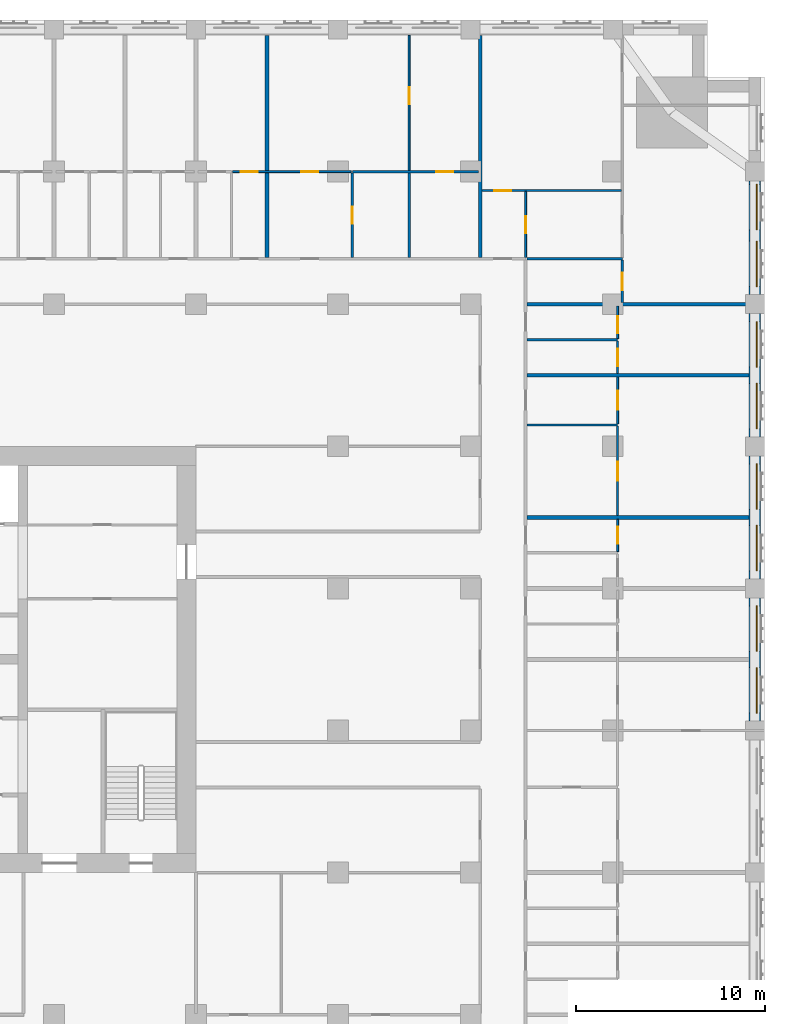
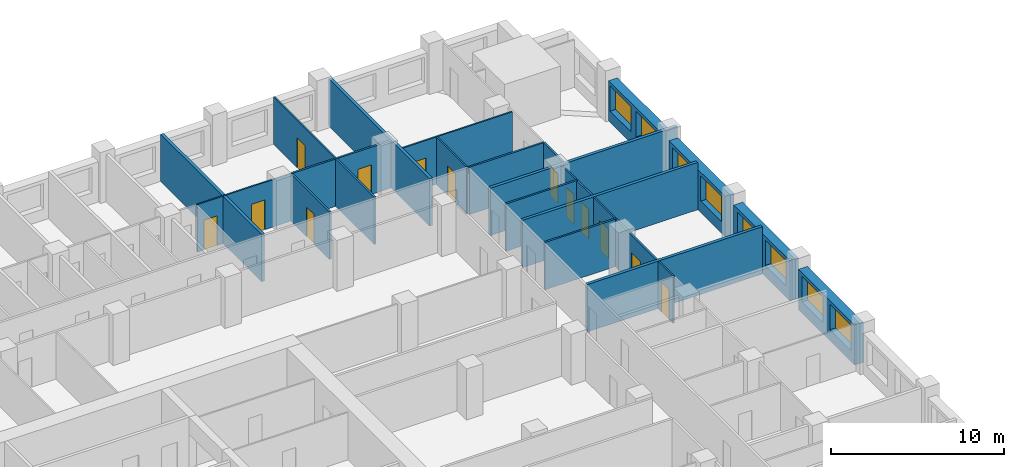
# One storey, part 11 of 15: 25 walls, 13 doors, 8 windows, 21 openings.
"""IFC4 building model written with IfcOpenShell, lengths in metres."""

from ifc_helpers import new_model, si_unit, direction, frame, frame_2d, origin, place, context, subcontext, project, spatial, rectangle, extrude, material, layer, layer_set, type_object, element, fill, save


model = new_model("IFC4")

# Units and contexts
model_context = context("Model", 3, precision=1e-05, world=origin(), true_north=direction((0.0, 1.0)))
body_context = subcontext(model_context, "Body", "Model", "MODEL_VIEW")
ifc_project = project(units=[si_unit("LENGTHUNIT", "METRE"), si_unit("AREAUNIT", "SQUARE_METRE"), si_unit("VOLUMEUNIT", "CUBIC_METRE"), si_unit("PLANEANGLEUNIT", "RADIAN"), si_unit("MASSUNIT", "GRAM", prefix="KILO")], contexts=[model_context])

# Site, building, storey
site_placement = place(None, origin())
site = spatial("IfcSite", under=ifc_project, at=site_placement, CompositionType="ELEMENT")
building_placement = place(site_placement, origin())
building = spatial("IfcBuilding", under=site, at=building_placement, Name="Tamorin Gate", CompositionType="ELEMENT")
storey_placement = place(building_placement, frame((0.0, 0.0, 97.10009765625)))
storey = spatial("IfcBuildingStorey", under=building, at=storey_placement, Name="L23", CompositionType="ELEMENT", Elevation=97.10009765625)

# Wall, openings, windows
ifc_material_1 = material(Name="Precast concrete C40/50", Category="concrete")
ifc_layer_1 = layer(ifc_material_1, 0.60009765625)
ifc_layer_set_1 = layer_set([ifc_layer_1], Name="Precast concrete C40/50")
wall_type_1 = type_object("IfcWallType", Name="Board-marked concrete facade panel 600", PredefinedType="SOLIDWALL", material=ifc_layer_set_1)
wall_1_placement = place(storey_placement, frame((89.5, 68.0, 0.0), z_axis=(0.0, 0.0, 1.0), x_axis=(0.0, 1.0, 0.0)))
wall_1 = element("IfcWall", 1, at=wall_1_placement, inside=storey, type_object=wall_type_1, Name="Facade panel", PredefinedType="SOLIDWALL", context=body_context, shape_type="SweptSolid", body=[
    extrude(rectangle(XDim=6.5, YDim=0.60009765625, at=frame_2d((3.25, 0.0))), origin(), (0.0, 0.0, 1.0), 2.849853515625),
])
opening_1_placement = place(wall_1_placement, frame((0.425048828125, 0.0, 0.800048828125)))
opening_1 = element("IfcOpeningElement", 2, at=opening_1_placement, cuts=wall_1, Name="Opening WN1", PredefinedType="OPENING", context=body_context, shape_type="SweptSolid", body=[
    extrude(rectangle(XDim=2.39990234375, YDim=1.800048828125, at=frame_2d((1.199951171875, 0.89990234375))), frame((0.0, 0.31005859375, 0.0), z_axis=(0.0, -1.0, 0.0), x_axis=(1.0, 0.0, 0.0)), (0.0, 0.0, 1.0), 0.6201171875),
])
opening_2_placement = place(wall_1_placement, frame((3.675048828125, 0.0, 0.800048828125)))
opening_2 = element("IfcOpeningElement", 3, at=opening_2_placement, cuts=wall_1, Name="Opening WN1", PredefinedType="OPENING", context=body_context, shape_type="SweptSolid", body=[
    extrude(rectangle(XDim=2.39990234375, YDim=1.800048828125, at=frame_2d((1.199951171875, 0.89990234375))), frame((0.0, 0.31005859375, 0.0), z_axis=(0.0, -1.0, 0.0), x_axis=(1.0, 0.0, 0.0)), (0.0, 0.0, 1.0), 0.6201171875),
])
ifc_material_2 = material(Name="Clear glass in aluminium frame", Category="aluminium")
window_type = type_object("IfcWindowType", Name="Deep-set window 2400x1800", PartitioningType="SINGLE_PANEL", PredefinedType="WINDOW", material=ifc_material_2)
window_1_placement = place(opening_1_placement, origin())
window_1 = element("IfcWindow", 4, at=window_1_placement, inside=storey, type_object=window_type, Name="Deep-set window", OverallHeight=1.800048828125, OverallWidth=2.39990234375, PartitioningType="SINGLE_PANEL", PredefinedType="WINDOW", context=body_context, shape_type="SweptSolid", body=[
    extrude(rectangle(XDim=2.39990234375, YDim=1.800048828125, at=frame_2d((1.199951171875, 0.89990234375))), frame((0.0, -0.070068359375, 0.0), z_axis=(0.0, -1.0, 0.0), x_axis=(1.0, 0.0, 0.0)), (0.0, 0.0, 1.0), 0.06005859375),
])
fill(opening_1, window_1)
window_2_placement = place(opening_2_placement, origin())
window_2 = element("IfcWindow", 5, at=window_2_placement, inside=storey, type_object=window_type, Name="Deep-set window", OverallHeight=1.800048828125, OverallWidth=2.39990234375, PartitioningType="SINGLE_PANEL", PredefinedType="WINDOW", context=body_context, shape_type="SweptSolid", body=[
    extrude(rectangle(XDim=2.39990234375, YDim=1.800048828125, at=frame_2d((1.199951171875, 0.89990234375))), frame((0.0, -0.070068359375, 0.0), z_axis=(0.0, -1.0, 0.0), x_axis=(1.0, 0.0, 0.0)), (0.0, 0.0, 1.0), 0.06005859375),
])
fill(opening_2, window_2)

wall_2_placement = place(storey_placement, frame((89.5, 75.5, 0.0), z_axis=(0.0, 0.0, 1.0), x_axis=(0.0, 1.0, 0.0)))
wall_2 = element("IfcWall", 6, at=wall_2_placement, inside=storey, type_object=wall_type_1, Name="Facade panel", PredefinedType="SOLIDWALL", context=body_context, shape_type="SweptSolid", body=[
    extrude(rectangle(XDim=6.5, YDim=0.60009765625, at=frame_2d((3.25, 0.0))), origin(), (0.0, 0.0, 1.0), 2.849853515625),
])
opening_3_placement = place(wall_2_placement, frame((0.425048828125, 0.0, 0.800048828125)))
opening_3 = element("IfcOpeningElement", 7, at=opening_3_placement, cuts=wall_2, Name="Opening WN1", PredefinedType="OPENING", context=body_context, shape_type="SweptSolid", body=[
    extrude(rectangle(XDim=2.39990234375, YDim=1.800048828125, at=frame_2d((1.199951171875, 0.89990234375))), frame((0.0, 0.31005859375, 0.0), z_axis=(0.0, -1.0, 0.0), x_axis=(1.0, 0.0, 0.0)), (0.0, 0.0, 1.0), 0.6201171875),
])
opening_4_placement = place(wall_2_placement, frame((3.675048828125, 0.0, 0.800048828125)))
opening_4 = element("IfcOpeningElement", 8, at=opening_4_placement, cuts=wall_2, Name="Opening WN1", PredefinedType="OPENING", context=body_context, shape_type="SweptSolid", body=[
    extrude(rectangle(XDim=2.39990234375, YDim=1.800048828125, at=frame_2d((1.199951171875, 0.89990234375))), frame((0.0, 0.31005859375, 0.0), z_axis=(0.0, -1.0, 0.0), x_axis=(1.0, 0.0, 0.0)), (0.0, 0.0, 1.0), 0.6201171875),
])
window_3_placement = place(opening_3_placement, origin())
window_3 = element("IfcWindow", 9, at=window_3_placement, inside=storey, type_object=window_type, Name="Deep-set window", OverallHeight=1.800048828125, OverallWidth=2.39990234375, PartitioningType="SINGLE_PANEL", PredefinedType="WINDOW", context=body_context, shape_type="SweptSolid", body=[
    extrude(rectangle(XDim=2.39990234375, YDim=1.800048828125, at=frame_2d((1.199951171875, 0.89990234375))), frame((0.0, -0.070068359375, 0.0), z_axis=(0.0, -1.0, 0.0), x_axis=(1.0, 0.0, 0.0)), (0.0, 0.0, 1.0), 0.06005859375),
])
fill(opening_3, window_3)
window_4_placement = place(opening_4_placement, origin())
window_4 = element("IfcWindow", 10, at=window_4_placement, inside=storey, type_object=window_type, Name="Deep-set window", OverallHeight=1.800048828125, OverallWidth=2.39990234375, PartitioningType="SINGLE_PANEL", PredefinedType="WINDOW", context=body_context, shape_type="SweptSolid", body=[
    extrude(rectangle(XDim=2.39990234375, YDim=1.800048828125, at=frame_2d((1.199951171875, 0.89990234375))), frame((0.0, -0.070068359375, 0.0), z_axis=(0.0, -1.0, 0.0), x_axis=(1.0, 0.0, 0.0)), (0.0, 0.0, 1.0), 0.06005859375),
])
fill(opening_4, window_4)

wall_3_placement = place(storey_placement, frame((89.5, 83.0, 0.0), z_axis=(0.0, 0.0, 1.0), x_axis=(0.0, 1.0, 0.0)))
wall_3 = element("IfcWall", 11, at=wall_3_placement, inside=storey, type_object=wall_type_1, Name="Facade panel", PredefinedType="SOLIDWALL", context=body_context, shape_type="SweptSolid", body=[
    extrude(rectangle(XDim=6.5, YDim=0.60009765625, at=frame_2d((3.25, 0.0))), origin(), (0.0, 0.0, 1.0), 2.849853515625),
])
opening_5_placement = place(wall_3_placement, frame((0.425048828125, 0.0, 0.800048828125)))
opening_5 = element("IfcOpeningElement", 12, at=opening_5_placement, cuts=wall_3, Name="Opening WN1", PredefinedType="OPENING", context=body_context, shape_type="SweptSolid", body=[
    extrude(rectangle(XDim=2.39990234375, YDim=1.800048828125, at=frame_2d((1.199951171875, 0.89990234375))), frame((0.0, 0.31005859375, 0.0), z_axis=(0.0, -1.0, 0.0), x_axis=(1.0, 0.0, 0.0)), (0.0, 0.0, 1.0), 0.6201171875),
])
opening_6_placement = place(wall_3_placement, frame((3.675048828125, 0.0, 0.800048828125)))
opening_6 = element("IfcOpeningElement", 13, at=opening_6_placement, cuts=wall_3, Name="Opening WN1", PredefinedType="OPENING", context=body_context, shape_type="SweptSolid", body=[
    extrude(rectangle(XDim=2.39990234375, YDim=1.800048828125, at=frame_2d((1.199951171875, 0.89990234375))), frame((0.0, 0.31005859375, 0.0), z_axis=(0.0, -1.0, 0.0), x_axis=(1.0, 0.0, 0.0)), (0.0, 0.0, 1.0), 0.6201171875),
])
window_5_placement = place(opening_5_placement, origin())
window_5 = element("IfcWindow", 14, at=window_5_placement, inside=storey, type_object=window_type, Name="Deep-set window", OverallHeight=1.800048828125, OverallWidth=2.39990234375, PartitioningType="SINGLE_PANEL", PredefinedType="WINDOW", context=body_context, shape_type="SweptSolid", body=[
    extrude(rectangle(XDim=2.39990234375, YDim=1.800048828125, at=frame_2d((1.199951171875, 0.89990234375))), frame((0.0, -0.070068359375, 0.0), z_axis=(0.0, -1.0, 0.0), x_axis=(1.0, 0.0, 0.0)), (0.0, 0.0, 1.0), 0.06005859375),
])
fill(opening_5, window_5)
window_6_placement = place(opening_6_placement, origin())
window_6 = element("IfcWindow", 15, at=window_6_placement, inside=storey, type_object=window_type, Name="Deep-set window", OverallHeight=1.800048828125, OverallWidth=2.39990234375, PartitioningType="SINGLE_PANEL", PredefinedType="WINDOW", context=body_context, shape_type="SweptSolid", body=[
    extrude(rectangle(XDim=2.39990234375, YDim=1.800048828125, at=frame_2d((1.199951171875, 0.89990234375))), frame((0.0, -0.070068359375, 0.0), z_axis=(0.0, -1.0, 0.0), x_axis=(1.0, 0.0, 0.0)), (0.0, 0.0, 1.0), 0.06005859375),
])
fill(opening_6, window_6)

wall_4_placement = place(storey_placement, frame((89.5, 90.5, 0.0), z_axis=(0.0, 0.0, 1.0), x_axis=(0.0, 1.0, 0.0)))
wall_4 = element("IfcWall", 16, at=wall_4_placement, inside=storey, type_object=wall_type_1, Name="Facade panel", PredefinedType="SOLIDWALL", context=body_context, shape_type="SweptSolid", body=[
    extrude(rectangle(XDim=6.0, YDim=0.60009765625, at=frame_2d((3.0, 0.0))), origin(), (0.0, 0.0, 1.0), 2.849853515625),
])
opening_7_placement = place(wall_4_placement, frame((0.425048828125, 0.0, 0.800048828125)))
opening_7 = element("IfcOpeningElement", 17, at=opening_7_placement, cuts=wall_4, Name="Opening WN1", PredefinedType="OPENING", context=body_context, shape_type="SweptSolid", body=[
    extrude(rectangle(XDim=2.39990234375, YDim=1.800048828125, at=frame_2d((1.199951171875, 0.89990234375))), frame((0.0, 0.31005859375, 0.0), z_axis=(0.0, -1.0, 0.0), x_axis=(1.0, 0.0, 0.0)), (0.0, 0.0, 1.0), 0.6201171875),
])
opening_8_placement = place(wall_4_placement, frame((3.425048828125, 0.0, 0.800048828125)))
opening_8 = element("IfcOpeningElement", 18, at=opening_8_placement, cuts=wall_4, Name="Opening WN1", PredefinedType="OPENING", context=body_context, shape_type="SweptSolid", body=[
    extrude(rectangle(XDim=2.39990234375, YDim=1.800048828125, at=frame_2d((1.199951171875, 0.89990234375))), frame((0.0, 0.31005859375, 0.0), z_axis=(0.0, -1.0, 0.0), x_axis=(1.0, 0.0, 0.0)), (0.0, 0.0, 1.0), 0.6201171875),
])
window_7_placement = place(opening_7_placement, origin())
window_7 = element("IfcWindow", 19, at=window_7_placement, inside=storey, type_object=window_type, Name="Deep-set window", OverallHeight=1.800048828125, OverallWidth=2.39990234375, PartitioningType="SINGLE_PANEL", PredefinedType="WINDOW", context=body_context, shape_type="SweptSolid", body=[
    extrude(rectangle(XDim=2.39990234375, YDim=1.800048828125, at=frame_2d((1.199951171875, 0.89990234375))), frame((0.0, -0.070068359375, 0.0), z_axis=(0.0, -1.0, 0.0), x_axis=(1.0, 0.0, 0.0)), (0.0, 0.0, 1.0), 0.06005859375),
])
fill(opening_7, window_7)
window_8_placement = place(opening_8_placement, origin())
window_8 = element("IfcWindow", 20, at=window_8_placement, inside=storey, type_object=window_type, Name="Deep-set window", OverallHeight=1.800048828125, OverallWidth=2.39990234375, PartitioningType="SINGLE_PANEL", PredefinedType="WINDOW", context=body_context, shape_type="SweptSolid", body=[
    extrude(rectangle(XDim=2.39990234375, YDim=1.800048828125, at=frame_2d((1.199951171875, 0.89990234375))), frame((0.0, -0.070068359375, 0.0), z_axis=(0.0, -1.0, 0.0), x_axis=(1.0, 0.0, 0.0)), (0.0, 0.0, 1.0), 0.06005859375),
])
fill(opening_8, window_8)

# Walls
ifc_material_3 = material(Name="Gypsum board partition")
ifc_layer_2 = layer(ifc_material_3, 0.199951171875)
ifc_layer_set_2 = layer_set([ifc_layer_2], Name="Demising wall 200")
wall_type_2 = type_object("IfcWallType", Name="Demising wall 200", PredefinedType="PARTITIONING", material=ifc_layer_set_2)
for number, where, z_axis, x_axis, name in (
    (21, (77.47509765625, 78.75, 0.0), (0.0, 0.0, 1.0), (1.0, 0.0, 0.0), "Demising wall 200"),
    (22, (77.47509765625, 86.25, 0.0), (0.0, 0.0, 1.0), (1.0, 0.0, 0.0), "Demising wall 200"),
):
    element("IfcWall", number, at=place(storey_placement, frame(where, z_axis=z_axis, x_axis=x_axis)), inside=storey, type_object=wall_type_2, Name=name, PredefinedType="PARTITIONING", context=body_context, shape_type="SweptSolid", body=[
        extrude(rectangle(XDim=11.71484375, YDim=0.199951171875, at=frame_2d((5.857421875, 0.0))), origin(), (0.0, 0.0, 1.0), 3.349853515625),
    ])
wall_5_placement = place(storey_placement, frame((77.47509765625, 90.0, 0.0), z_axis=(0.0, 0.0, 1.0), x_axis=(1.0, 0.0, 0.0)))
element("IfcWall", 23, at=wall_5_placement, inside=storey, type_object=wall_type_2, Name="Demising wall 200", PredefinedType="PARTITIONING", context=body_context, shape_type="SweptSolid", body=[
    extrude(rectangle(XDim=12.52490234375, YDim=0.199951171875, at=frame_2d((6.262451171875, 0.0))), origin(), (0.0, 0.0, 1.0), 3.349853515625),
])
for number, where, z_axis, x_axis, name in (
    (24, (63.75, 92.47509765625, 0.0), (0.0, 0.0, 1.0), (0.0, 1.0, 0.0), "Demising wall 200"),
    (25, (75.0, 92.47509765625, 0.0), (0.0, 0.0, 1.0), (0.0, 1.0, 0.0), "Demising wall 200"),
):
    element("IfcWall", number, at=place(storey_placement, frame(where, z_axis=z_axis, x_axis=x_axis)), inside=storey, type_object=wall_type_2, Name=name, PredefinedType="PARTITIONING", context=body_context, shape_type="SweptSolid", body=[
        extrude(rectangle(XDim=11.71484375, YDim=0.199951171875, at=frame_2d((5.857421875, 0.0))), origin(), (0.0, 0.0, 1.0), 3.349853515625),
    ])

# Wall, opening, door
ifc_layer_3 = layer(ifc_material_3, 0.10009765625)
ifc_layer_set_3 = layer_set([ifc_layer_3], Name="Room partition 100")
wall_type_3 = type_object("IfcWallType", Name="Room partition 100", PredefinedType="PARTITIONING", material=ifc_layer_set_3)
wall_6_placement = place(storey_placement, frame((75.10009765625, 96.0, 0.0), z_axis=(0.0, 0.0, 1.0), x_axis=(1.0, 0.0, 0.0)))
wall_6 = element("IfcWall", 26, at=wall_6_placement, inside=storey, type_object=wall_type_3, Name="Room partition 100", PredefinedType="PARTITIONING", context=body_context, shape_type="SweptSolid", body=[
    extrude(rectangle(XDim=7.349853515625, YDim=0.10009765625, at=frame_2d((3.6748046875, 0.0))), origin(), (0.0, 0.0, 1.0), 3.349853515625),
])
opening_9_placement = place(wall_6_placement, frame((0.64990234375, 0.0, 0.0)))
opening_9 = element("IfcOpeningElement", 27, at=opening_9_placement, cuts=wall_6, Name="Opening DH6081", PredefinedType="OPENING", context=body_context, shape_type="SweptSolid", body=[
    extrude(rectangle(XDim=0.89990234375, YDim=2.10009765625, at=frame_2d((0.449951171875, 1.050048828125))), frame((0.0, 0.06005859375, 0.0), z_axis=(0.0, -1.0, 0.0), x_axis=(1.0, 0.0, 0.0)), (0.0, 0.0, 1.0), 0.1201171875),
])
ifc_material_4 = material(Name="Timber door leaf", Category="wood")
door_type_1 = type_object("IfcDoorType", Name="Door 900 x 2100", OperationType="NOTDEFINED", PredefinedType="DOOR", material=ifc_material_4)
door_1_placement = place(opening_9_placement, origin())
door_1 = element("IfcDoor", 28, at=door_1_placement, inside=storey, type_object=door_type_1, Name="Door DH6081", OperationType="SINGLE_SWING_LEFT", OverallHeight=2.10009765625, OverallWidth=0.89990234375, PredefinedType="DOOR", context=body_context, shape_type="SweptSolid", body=[
    extrude(rectangle(XDim=0.89990234375, YDim=2.10009765625, at=frame_2d((0.449951171875, 1.050048828125))), frame((0.0, 0.02490234375, 0.0), z_axis=(0.0, -1.0, 0.0), x_axis=(1.0, 0.0, 0.0)), (0.0, 0.0, 1.0), 0.050048828125),
])
fill(opening_9, door_1)

# Wall, openings, doors
wall_7_placement = place(storey_placement, frame((61.9375, 97.0, 0.0), z_axis=(0.0, 0.0, 1.0), x_axis=(1.0, 0.0, 0.0)))
wall_7 = element("IfcWall", 29, at=wall_7_placement, inside=storey, type_object=wall_type_3, Name="Room partition 100", PredefinedType="PARTITIONING", context=body_context, shape_type="SweptSolid", body=[
    extrude(rectangle(XDim=6.25, YDim=0.10009765625, at=frame_2d((3.125, 0.0))), origin(), (0.0, 0.0, 1.0), 3.349853515625),
])
opening_10_placement = place(wall_7_placement, frame((0.425048828125, 0.0, 0.0)))
opening_10 = element("IfcOpeningElement", 30, at=opening_10_placement, cuts=wall_7, Name="Opening DH6045", PredefinedType="OPENING", context=body_context, shape_type="SweptSolid", body=[
    extrude(rectangle(XDim=0.89990234375, YDim=2.10009765625, at=frame_2d((0.449951171875, 1.050048828125))), frame((0.0, 0.06005859375, 0.0), z_axis=(0.0, -1.0, 0.0), x_axis=(1.0, 0.0, 0.0)), (0.0, 0.0, 1.0), 0.1201171875),
])
opening_11_placement = place(wall_7_placement, frame((3.612548828125, 0.0, 0.0)))
opening_11 = element("IfcOpeningElement", 31, at=opening_11_placement, cuts=wall_7, Name="Opening DH6047", PredefinedType="OPENING", context=body_context, shape_type="SweptSolid", body=[
    extrude(rectangle(XDim=0.89990234375, YDim=2.10009765625, at=frame_2d((0.449951171875, 1.050048828125))), frame((0.0, 0.06005859375, 0.0), z_axis=(0.0, -1.0, 0.0), x_axis=(1.0, 0.0, 0.0)), (0.0, 0.0, 1.0), 0.1201171875),
])
door_2_placement = place(opening_10_placement, origin())
door_2 = element("IfcDoor", 32, at=door_2_placement, inside=storey, type_object=door_type_1, Name="Door DH6045", OperationType="SINGLE_SWING_RIGHT", OverallHeight=2.10009765625, OverallWidth=0.89990234375, PredefinedType="DOOR", context=body_context, shape_type="SweptSolid", body=[
    extrude(rectangle(XDim=0.89990234375, YDim=2.10009765625, at=frame_2d((0.449951171875, 1.050048828125))), frame((0.0, 0.02490234375, 0.0), z_axis=(0.0, -1.0, 0.0), x_axis=(1.0, 0.0, 0.0)), (0.0, 0.0, 1.0), 0.050048828125),
])
fill(opening_10, door_2)
door_3_placement = place(opening_11_placement, origin())
door_3 = element("IfcDoor", 33, at=door_3_placement, inside=storey, type_object=door_type_1, Name="Door DH6047", OperationType="SINGLE_SWING_RIGHT", OverallHeight=2.10009765625, OverallWidth=0.89990234375, PredefinedType="DOOR", context=body_context, shape_type="SweptSolid", body=[
    extrude(rectangle(XDim=0.89990234375, YDim=2.10009765625, at=frame_2d((0.449951171875, 1.050048828125))), frame((0.0, 0.02490234375, 0.0), z_axis=(0.0, -1.0, 0.0), x_axis=(1.0, 0.0, 0.0)), (0.0, 0.0, 1.0), 0.050048828125),
])
fill(opening_11, door_3)

# Wall, opening, door
wall_8_placement = place(storey_placement, frame((71.25, 97.0625, 0.0), z_axis=(0.0, 0.0, 1.0), x_axis=(0.0, 1.0, 0.0)))
wall_8 = element("IfcWall", 34, at=wall_8_placement, inside=storey, type_object=wall_type_3, Name="Room partition 100", PredefinedType="PARTITIONING", context=body_context, shape_type="SweptSolid", body=[
    extrude(rectangle(XDim=7.12744140625, YDim=0.10009765625, at=frame_2d((3.563720703125, 0.0))), origin(), (0.0, 0.0, 1.0), 3.349853515625),
])
opening_12_placement = place(wall_8_placement, frame((3.487548828125, 0.0, 0.0)))
opening_12 = element("IfcOpeningElement", 35, at=opening_12_placement, cuts=wall_8, Name="Opening DH6050", PredefinedType="OPENING", context=body_context, shape_type="SweptSolid", body=[
    extrude(rectangle(XDim=0.89990234375, YDim=2.10009765625, at=frame_2d((0.449951171875, 1.050048828125))), frame((0.0, 0.06005859375, 0.0), z_axis=(0.0, -1.0, 0.0), x_axis=(1.0, 0.0, 0.0)), (0.0, 0.0, 1.0), 0.1201171875),
])
door_4_placement = place(opening_12_placement, origin())
door_4 = element("IfcDoor", 36, at=door_4_placement, inside=storey, type_object=door_type_1, Name="Door DH6050", OperationType="SINGLE_SWING_LEFT", OverallHeight=2.10009765625, OverallWidth=0.89990234375, PredefinedType="DOOR", context=body_context, shape_type="SweptSolid", body=[
    extrude(rectangle(XDim=0.89990234375, YDim=2.10009765625, at=frame_2d((0.449951171875, 1.050048828125))), frame((0.0, 0.02490234375, 0.0), z_axis=(0.0, -1.0, 0.0), x_axis=(1.0, 0.0, 0.0)), (0.0, 0.0, 1.0), 0.050048828125),
])
fill(opening_12, door_4)

wall_9_placement = place(storey_placement, frame((77.39990234375, 92.47509765625, 0.0), z_axis=(0.0, 0.0, 1.0), x_axis=(0.0, 1.0, 0.0)))
wall_9 = element("IfcWall", 37, at=wall_9_placement, inside=storey, type_object=wall_type_3, Name="Room partition 100", PredefinedType="PARTITIONING", context=body_context, shape_type="SweptSolid", body=[
    extrude(rectangle(XDim=3.474853515625, YDim=0.10009765625, at=frame_2d((1.7373046875, 0.0))), origin(), (0.0, 0.0, 1.0), 3.349853515625),
])
opening_13_placement = place(wall_9_placement, frame((1.27490234375, 0.0, 0.0)))
opening_13 = element("IfcOpeningElement", 38, at=opening_13_placement, cuts=wall_9, Name="Opening DH6082", PredefinedType="OPENING", context=body_context, shape_type="SweptSolid", body=[
    extrude(rectangle(XDim=0.89990234375, YDim=2.10009765625, at=frame_2d((0.449951171875, 1.050048828125))), frame((0.0, 0.06005859375, 0.0), z_axis=(0.0, -1.0, 0.0), x_axis=(1.0, 0.0, 0.0)), (0.0, 0.0, 1.0), 0.1201171875),
])
door_5_placement = place(opening_13_placement, origin())
door_5 = element("IfcDoor", 39, at=door_5_placement, inside=storey, type_object=door_type_1, Name="Door DH6082", OperationType="SINGLE_SWING_RIGHT", OverallHeight=2.10009765625, OverallWidth=0.89990234375, PredefinedType="DOOR", context=body_context, shape_type="SweptSolid", body=[
    extrude(rectangle(XDim=0.89990234375, YDim=2.10009765625, at=frame_2d((0.449951171875, 1.050048828125))), frame((0.0, 0.02490234375, 0.0), z_axis=(0.0, -1.0, 0.0), x_axis=(1.0, 0.0, 0.0)), (0.0, 0.0, 1.0), 0.050048828125),
])
fill(opening_13, door_5)

wall_10_placement = place(storey_placement, frame((82.25, 76.9375, 0.0), z_axis=(0.0, 0.0, 1.0), x_axis=(0.0, 1.0, 0.0)))
wall_10 = element("IfcWall", 40, at=wall_10_placement, inside=storey, type_object=wall_type_3, Name="Room partition 100", PredefinedType="PARTITIONING", context=body_context, shape_type="SweptSolid", body=[
    extrude(rectangle(XDim=1.71240234375, YDim=0.10009765625, at=frame_2d((0.856201171875, 0.0))), origin(), (0.0, 0.0, 1.0), 3.349853515625),
])
opening_14_placement = place(wall_10_placement, frame((0.425048828125, 0.0, 0.0)))
opening_14 = element("IfcOpeningElement", 41, at=opening_14_placement, cuts=wall_10, Name="Opening DH6067", PredefinedType="OPENING", context=body_context, shape_type="SweptSolid", body=[
    extrude(rectangle(XDim=0.89990234375, YDim=2.10009765625, at=frame_2d((0.449951171875, 1.050048828125))), frame((0.0, 0.06005859375, 0.0), z_axis=(0.0, -1.0, 0.0), x_axis=(1.0, 0.0, 0.0)), (0.0, 0.0, 1.0), 0.1201171875),
])
door_6_placement = place(opening_14_placement, origin())
door_6 = element("IfcDoor", 42, at=door_6_placement, inside=storey, type_object=door_type_1, Name="Door DH6067", OperationType="SINGLE_SWING_LEFT", OverallHeight=2.10009765625, OverallWidth=0.89990234375, PredefinedType="DOOR", context=body_context, shape_type="SweptSolid", body=[
    extrude(rectangle(XDim=0.89990234375, YDim=2.10009765625, at=frame_2d((0.449951171875, 1.050048828125))), frame((0.0, 0.02490234375, 0.0), z_axis=(0.0, -1.0, 0.0), x_axis=(1.0, 0.0, 0.0)), (0.0, 0.0, 1.0), 0.050048828125),
])
fill(opening_14, door_6)

wall_11_placement = place(storey_placement, frame((82.25, 83.6875, 0.0), z_axis=(0.0, 0.0, 1.0), x_axis=(0.0, 1.0, 0.0)))
wall_11 = element("IfcWall", 43, at=wall_11_placement, inside=storey, type_object=wall_type_3, Name="Room partition 100", PredefinedType="PARTITIONING", context=body_context, shape_type="SweptSolid", body=[
    extrude(rectangle(XDim=2.46240234375, YDim=0.10009765625, at=frame_2d((1.231201171875, 0.0))), origin(), (0.0, 0.0, 1.0), 3.349853515625),
])
opening_15_placement = place(wall_11_placement, frame((0.75, 0.0, 0.0)))
opening_15 = element("IfcOpeningElement", 44, at=opening_15_placement, cuts=wall_11, Name="Opening DH6070", PredefinedType="OPENING", context=body_context, shape_type="SweptSolid", body=[
    extrude(rectangle(XDim=1.0, YDim=2.10009765625, at=frame_2d((0.5, 1.050048828125))), frame((0.0, 0.06005859375, 0.0), z_axis=(0.0, -1.0, 0.0), x_axis=(1.0, 0.0, 0.0)), (0.0, 0.0, 1.0), 0.1201171875),
])
door_type_2 = type_object("IfcDoorType", Name="Door 1000 x 2100", OperationType="NOTDEFINED", PredefinedType="DOOR", material=ifc_material_4)
door_7_placement = place(opening_15_placement, origin())
door_7 = element("IfcDoor", 45, at=door_7_placement, inside=storey, type_object=door_type_2, Name="Door DH6070", OperationType="SINGLE_SWING_LEFT", OverallHeight=2.10009765625, OverallWidth=1.0, PredefinedType="DOOR", context=body_context, shape_type="SweptSolid", body=[
    extrude(rectangle(XDim=1.0, YDim=2.10009765625, at=frame_2d((0.5, 1.050048828125))), frame((0.0, 0.02490234375, 0.0), z_axis=(0.0, -1.0, 0.0), x_axis=(1.0, 0.0, 0.0)), (0.0, 0.0, 1.0), 0.050048828125),
])
fill(opening_15, door_7)

wall_12_placement = place(storey_placement, frame((82.25, 88.1875, 0.0), z_axis=(0.0, 0.0, 1.0), x_axis=(0.0, 1.0, 0.0)))
wall_12 = element("IfcWall", 46, at=wall_12_placement, inside=storey, type_object=wall_type_3, Name="Room partition 100", PredefinedType="PARTITIONING", context=body_context, shape_type="SweptSolid", body=[
    extrude(rectangle(XDim=1.71240234375, YDim=0.10009765625, at=frame_2d((0.856201171875, 0.0))), origin(), (0.0, 0.0, 1.0), 3.349853515625),
])
opening_16_placement = place(wall_12_placement, frame((0.27490234375, 0.0, 0.0)))
opening_16 = element("IfcOpeningElement", 47, at=opening_16_placement, cuts=wall_12, Name="Opening DH6073", PredefinedType="OPENING", context=body_context, shape_type="SweptSolid", body=[
    extrude(rectangle(XDim=0.89990234375, YDim=2.10009765625, at=frame_2d((0.449951171875, 1.050048828125))), frame((0.0, 0.06005859375, 0.0), z_axis=(0.0, -1.0, 0.0), x_axis=(1.0, 0.0, 0.0)), (0.0, 0.0, 1.0), 0.1201171875),
])
door_8_placement = place(opening_16_placement, origin())
door_8 = element("IfcDoor", 48, at=door_8_placement, inside=storey, type_object=door_type_1, Name="Door DH6073", OperationType="SINGLE_SWING_LEFT", OverallHeight=2.10009765625, OverallWidth=0.89990234375, PredefinedType="DOOR", context=body_context, shape_type="SweptSolid", body=[
    extrude(rectangle(XDim=0.89990234375, YDim=2.10009765625, at=frame_2d((0.449951171875, 1.050048828125))), frame((0.0, 0.02490234375, 0.0), z_axis=(0.0, -1.0, 0.0), x_axis=(1.0, 0.0, 0.0)), (0.0, 0.0, 1.0), 0.050048828125),
])
fill(opening_16, door_8)

# Walls
ifc_layer_4 = layer(ifc_material_3, 0.125)
ifc_layer_set_4 = layer_set([ifc_layer_4], Name="Wet wall 125")
wall_type_4 = type_object("IfcWallType", Name="Wet wall 125", PredefinedType="PARTITIONING", material=ifc_layer_set_4)
for number, where, z_axis, x_axis, name in (
    (49, (77.47509765625, 83.625, 0.0), (0.0, 0.0, 1.0), (1.0, 0.0, 0.0), "Wet wall 125"),
    (50, (77.47509765625, 88.125, 0.0), (0.0, 0.0, 1.0), (1.0, 0.0, 0.0), "Wet wall 125"),
):
    element("IfcWall", number, at=place(storey_placement, frame(where, z_axis=z_axis, x_axis=x_axis)), inside=storey, type_object=wall_type_4, Name=name, PredefinedType="PARTITIONING", context=body_context, shape_type="SweptSolid", body=[
        extrude(rectangle(XDim=4.77490234375, YDim=0.125, at=frame_2d((2.387451171875, 0.0))), origin(), (0.0, 0.0, 1.0), 3.349853515625),
    ])
wall_13_placement = place(storey_placement, frame((77.47509765625, 92.39990234375, 0.0), z_axis=(0.0, 0.0, 1.0), x_axis=(1.0, 0.0, 0.0)))
element("IfcWall", 51, at=wall_13_placement, inside=storey, type_object=wall_type_4, Name="Wet wall 125", PredefinedType="PARTITIONING", context=body_context, shape_type="SweptSolid", body=[
    extrude(rectangle(XDim=5.02490234375, YDim=0.125, at=frame_2d((2.512451171875, 0.0))), origin(), (0.0, 0.0, 1.0), 3.349853515625),
])

# Wall, opening, door
wall_14_placement = place(storey_placement, frame((68.25, 97.0, 0.0), z_axis=(0.0, 0.0, 1.0), x_axis=(1.0, 0.0, 0.0)))
wall_14 = element("IfcWall", 52, at=wall_14_placement, inside=storey, type_object=wall_type_4, Name="Wet wall 125", PredefinedType="PARTITIONING", context=body_context, shape_type="SweptSolid", body=[
    extrude(rectangle(XDim=6.64990234375, YDim=0.125, at=frame_2d((3.324951171875, 0.0))), origin(), (0.0, 0.0, 1.0), 3.349853515625),
])
opening_17_placement = place(wall_14_placement, frame((4.425048828125, 0.0, 0.0)))
opening_17 = element("IfcOpeningElement", 53, at=opening_17_placement, cuts=wall_14, Name="Opening DH6049", PredefinedType="OPENING", context=body_context, shape_type="SweptSolid", body=[
    extrude(rectangle(XDim=0.89990234375, YDim=2.10009765625, at=frame_2d((0.449951171875, 1.050048828125))), frame((0.0, 0.072509765625, 0.0), z_axis=(0.0, -1.0, 0.0), x_axis=(1.0, 0.0, 0.0)), (0.0, 0.0, 1.0), 0.14501953125),
])
door_9_placement = place(opening_17_placement, origin())
door_9 = element("IfcDoor", 54, at=door_9_placement, inside=storey, type_object=door_type_1, Name="Door DH6049", OperationType="SINGLE_SWING_RIGHT", OverallHeight=2.10009765625, OverallWidth=0.89990234375, PredefinedType="DOOR", context=body_context, shape_type="SweptSolid", body=[
    extrude(rectangle(XDim=0.89990234375, YDim=2.10009765625, at=frame_2d((0.449951171875, 1.050048828125))), frame((0.0, 0.02490234375, 0.0), z_axis=(0.0, -1.0, 0.0), x_axis=(1.0, 0.0, 0.0)), (0.0, 0.0, 1.0), 0.050048828125),
])
fill(opening_17, door_9)

wall_15_placement = place(storey_placement, frame((68.25, 92.47509765625, 0.0), z_axis=(0.0, 0.0, 1.0), x_axis=(0.0, 1.0, 0.0)))
wall_15 = element("IfcWall", 55, at=wall_15_placement, inside=storey, type_object=wall_type_4, Name="Wet wall 125", PredefinedType="PARTITIONING", context=body_context, shape_type="SweptSolid", body=[
    extrude(rectangle(XDim=4.46240234375, YDim=0.125, at=frame_2d((2.231201171875, 0.0))), origin(), (0.0, 0.0, 1.0), 3.349853515625),
])
opening_18_placement = place(wall_15_placement, frame((1.77490234375, 0.0, 0.0)))
opening_18 = element("IfcOpeningElement", 56, at=opening_18_placement, cuts=wall_15, Name="Opening DH6048", PredefinedType="OPENING", context=body_context, shape_type="SweptSolid", body=[
    extrude(rectangle(XDim=0.89990234375, YDim=2.10009765625, at=frame_2d((0.449951171875, 1.050048828125))), frame((0.0, 0.072509765625, 0.0), z_axis=(0.0, -1.0, 0.0), x_axis=(1.0, 0.0, 0.0)), (0.0, 0.0, 1.0), 0.14501953125),
])
door_10_placement = place(opening_18_placement, origin())
door_10 = element("IfcDoor", 57, at=door_10_placement, inside=storey, type_object=door_type_1, Name="Door DH6048", OperationType="SINGLE_SWING_LEFT", OverallHeight=2.10009765625, OverallWidth=0.89990234375, PredefinedType="DOOR", context=body_context, shape_type="SweptSolid", body=[
    extrude(rectangle(XDim=0.89990234375, YDim=2.10009765625, at=frame_2d((0.449951171875, 1.050048828125))), frame((0.0, 0.02490234375, 0.0), z_axis=(0.0, -1.0, 0.0), x_axis=(1.0, 0.0, 0.0)), (0.0, 0.0, 1.0), 0.050048828125),
])
fill(opening_18, door_10)

# Wall
wall_16_placement = place(storey_placement, frame((71.25, 92.47509765625, 0.0), z_axis=(0.0, 0.0, 1.0), x_axis=(0.0, 1.0, 0.0)))
element("IfcWall", 58, at=wall_16_placement, inside=storey, type_object=wall_type_4, Name="Wet wall 125", PredefinedType="PARTITIONING", context=body_context, shape_type="SweptSolid", body=[
    extrude(rectangle(XDim=4.46240234375, YDim=0.125, at=frame_2d((2.231201171875, 0.0))), origin(), (0.0, 0.0, 1.0), 3.349853515625),
])

# Wall, opening, door
wall_17_placement = place(storey_placement, frame((82.25, 78.85009765625, 0.0), z_axis=(0.0, 0.0, 1.0), x_axis=(0.0, 1.0, 0.0)))
wall_17 = element("IfcWall", 59, at=wall_17_placement, inside=storey, type_object=wall_type_4, Name="Wet wall 125", PredefinedType="PARTITIONING", context=body_context, shape_type="SweptSolid", body=[
    extrude(rectangle(XDim=4.71240234375, YDim=0.125, at=frame_2d((2.356201171875, 0.0))), origin(), (0.0, 0.0, 1.0), 3.349853515625),
])
opening_19_placement = place(wall_17_placement, frame((1.83740234375, 0.0, 0.0)))
opening_19 = element("IfcOpeningElement", 60, at=opening_19_placement, cuts=wall_17, Name="Opening DH6068", PredefinedType="OPENING", context=body_context, shape_type="SweptSolid", body=[
    extrude(rectangle(XDim=1.0, YDim=2.10009765625, at=frame_2d((0.5, 1.050048828125))), frame((0.0, 0.072509765625, 0.0), z_axis=(0.0, -1.0, 0.0), x_axis=(1.0, 0.0, 0.0)), (0.0, 0.0, 1.0), 0.14501953125),
])
door_11_placement = place(opening_19_placement, origin())
door_11 = element("IfcDoor", 61, at=door_11_placement, inside=storey, type_object=door_type_2, Name="Door DH6068", OperationType="SINGLE_SWING_LEFT", OverallHeight=2.10009765625, OverallWidth=1.0, PredefinedType="DOOR", context=body_context, shape_type="SweptSolid", body=[
    extrude(rectangle(XDim=1.0, YDim=2.10009765625, at=frame_2d((0.5, 1.050048828125))), frame((0.0, 0.02490234375, 0.0), z_axis=(0.0, -1.0, 0.0), x_axis=(1.0, 0.0, 0.0)), (0.0, 0.0, 1.0), 0.050048828125),
])
fill(opening_19, door_11)

wall_18_placement = place(storey_placement, frame((82.25, 86.35009765625, 0.0), z_axis=(0.0, 0.0, 1.0), x_axis=(0.0, 1.0, 0.0)))
wall_18 = element("IfcWall", 62, at=wall_18_placement, inside=storey, type_object=wall_type_4, Name="Wet wall 125", PredefinedType="PARTITIONING", context=body_context, shape_type="SweptSolid", body=[
    extrude(rectangle(XDim=1.71240234375, YDim=0.125, at=frame_2d((0.856201171875, 0.0))), origin(), (0.0, 0.0, 1.0), 3.349853515625),
])
opening_20_placement = place(wall_18_placement, frame((0.387451171875, 0.0, 0.0)))
opening_20 = element("IfcOpeningElement", 63, at=opening_20_placement, cuts=wall_18, Name="Opening DH6071", PredefinedType="OPENING", context=body_context, shape_type="SweptSolid", body=[
    extrude(rectangle(XDim=0.89990234375, YDim=2.10009765625, at=frame_2d((0.449951171875, 1.050048828125))), frame((0.0, 0.072509765625, 0.0), z_axis=(0.0, -1.0, 0.0), x_axis=(1.0, 0.0, 0.0)), (0.0, 0.0, 1.0), 0.14501953125),
])
door_12_placement = place(opening_20_placement, origin())
door_12 = element("IfcDoor", 64, at=door_12_placement, inside=storey, type_object=door_type_1, Name="Door DH6071", OperationType="SINGLE_SWING_LEFT", OverallHeight=2.10009765625, OverallWidth=0.89990234375, PredefinedType="DOOR", context=body_context, shape_type="SweptSolid", body=[
    extrude(rectangle(XDim=0.89990234375, YDim=2.10009765625, at=frame_2d((0.449951171875, 1.050048828125))), frame((0.0, 0.02490234375, 0.0), z_axis=(0.0, -1.0, 0.0), x_axis=(1.0, 0.0, 0.0)), (0.0, 0.0, 1.0), 0.050048828125),
])
fill(opening_20, door_12)

wall_19_placement = place(storey_placement, frame((82.5, 90.10009765625, 0.0), z_axis=(0.0, 0.0, 1.0), x_axis=(0.0, 1.0, 0.0)))
wall_19 = element("IfcWall", 65, at=wall_19_placement, inside=storey, type_object=wall_type_4, Name="Wet wall 125", PredefinedType="PARTITIONING", context=body_context, shape_type="SweptSolid", body=[
    extrude(rectangle(XDim=2.2373046875, YDim=0.125, at=frame_2d((1.11865234375, 0.0))), origin(), (0.0, 0.0, 1.0), 3.349853515625),
])
opening_21_placement = place(wall_19_placement, frame((0.64990234375, 0.0, 0.0)))
opening_21 = element("IfcOpeningElement", 66, at=opening_21_placement, cuts=wall_19, Name="Opening DH6085", PredefinedType="OPENING", context=body_context, shape_type="SweptSolid", body=[
    extrude(rectangle(XDim=0.89990234375, YDim=2.10009765625, at=frame_2d((0.449951171875, 1.050048828125))), frame((0.0, 0.072509765625, 0.0), z_axis=(0.0, -1.0, 0.0), x_axis=(1.0, 0.0, 0.0)), (0.0, 0.0, 1.0), 0.14501953125),
])
door_13_placement = place(opening_21_placement, origin())
door_13 = element("IfcDoor", 67, at=door_13_placement, inside=storey, type_object=door_type_1, Name="Door DH6085", OperationType="SINGLE_SWING_LEFT", OverallHeight=2.10009765625, OverallWidth=0.89990234375, PredefinedType="DOOR", context=body_context, shape_type="SweptSolid", body=[
    extrude(rectangle(XDim=0.89990234375, YDim=2.10009765625, at=frame_2d((0.449951171875, 1.050048828125))), frame((0.0, 0.02490234375, 0.0), z_axis=(0.0, -1.0, 0.0), x_axis=(1.0, 0.0, 0.0)), (0.0, 0.0, 1.0), 0.050048828125),
])
fill(opening_21, door_13)

save(model, "model.ifc")
